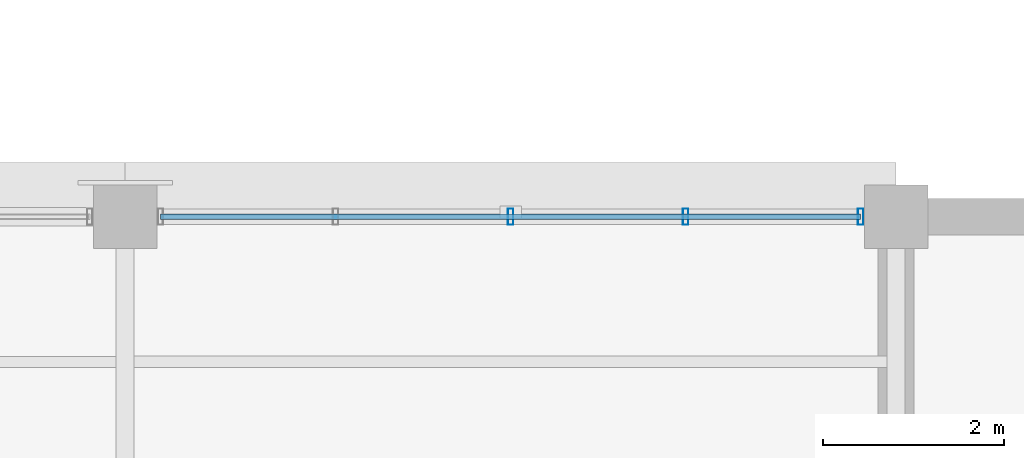
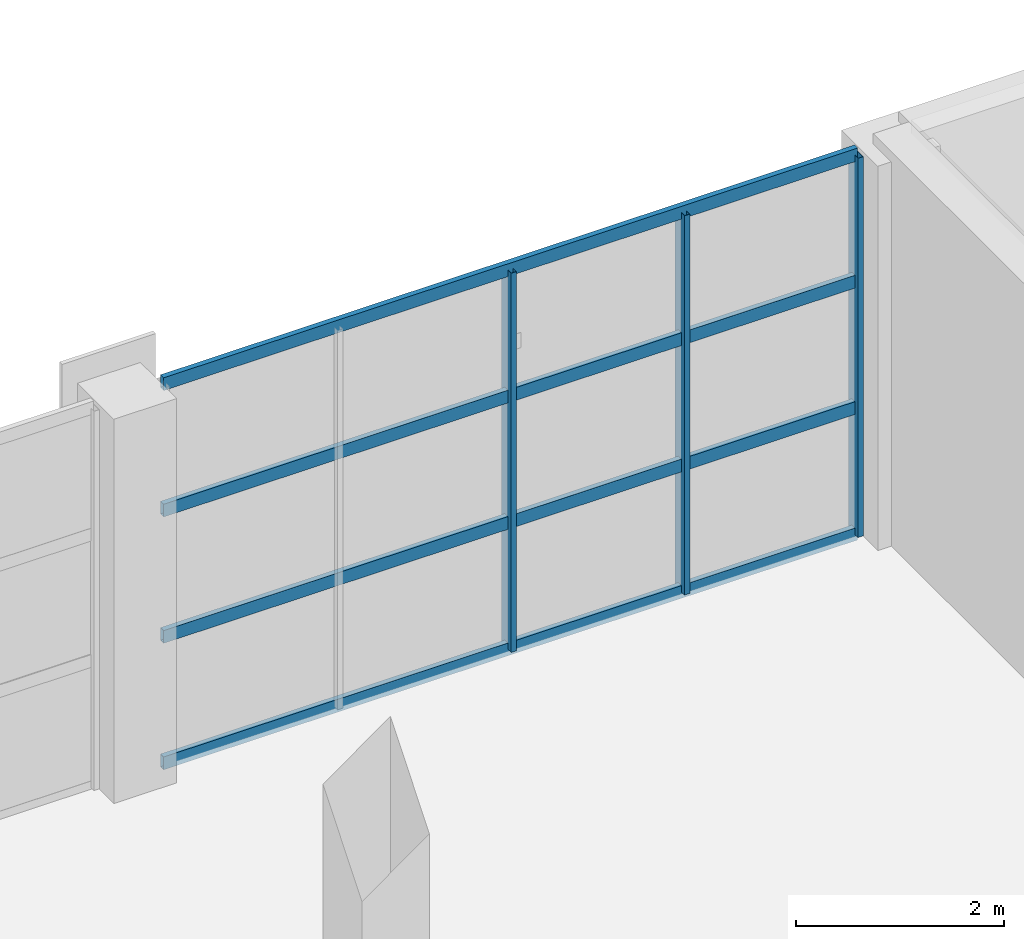
# One storey, part 32 of 101: 7 members, 1 element without a shape of its own.
"""IFC4 building model written with IfcOpenShell, lengths in metres."""

import ifcopenshell
import ifcopenshell.guid

model = None  # the IFC model being written
_history = None  # IfcOwnerHistory: only IFC2X3 demands one
_inside = {}  # id of a spatial element -> (the spatial element, [elements in it])
_under = {}  # id of a project, library or spatial element -> (it, [spatial elements below it])
_declared = {}  # id of a project -> (the project, [libraries it declares])
_typed = {}  # id of a type object -> (the type object, [elements of that type])
_made_of = {}  # id of a material, layer set ... -> (it, [elements and type objects made of it])


def new_model(schema):
    """Start an empty IFC model of exactly this schema.

    Asked for "IFC4X3", IfcOpenShell would pick the latest addendum, in which some entities
    have other attributes; the version numbers below select the first issue.
    IFC2X3 requires an IfcOwnerHistory on every rooted entity: one is made here for all.
    """
    global model, _history
    if schema == "IFC4X3":
        model = ifcopenshell.file(schema_version=(4, 3, 0, 0))
    else:
        model = ifcopenshell.file(schema=schema)
    _inside.clear()
    _under.clear()
    _declared.clear()
    _typed.clear()
    _made_of.clear()
    _history = None
    if model.schema == "IFC2X3":
        org = make("IfcOrganization", Name="unknown")
        user = make(
            "IfcPersonAndOrganization",
            ThePerson=make("IfcPerson", FamilyName="unknown"),
            TheOrganization=org,
        )
        app = make(
            "IfcApplication",
            ApplicationDeveloper=org,
            Version="unknown",
            ApplicationFullName="unknown",
            ApplicationIdentifier="unknown",
        )
        _history = make(
            "IfcOwnerHistory",
            OwningUser=user,
            OwningApplication=app,
            ChangeAction="ADDED",
            CreationDate=0,
        )
    return model


def make(cls, **values):
    """One entity of the class cls with the attributes given. An attribute that is None is left unset."""
    return model.create_entity(
        cls, **{name: value for name, value in values.items() if value is not None}
    )


def rooted(cls, **values):
    """An entity with a GlobalId (a new one), such as an element, a storey or a relation."""
    return make(cls, GlobalId=ifcopenshell.guid.new(), OwnerHistory=_history, **values)


def si_unit(unit_type, name, prefix=None):
    """IfcSIUnit, for example si_unit("LENGTHUNIT", "METRE", prefix="MILLI")."""
    return make("IfcSIUnit", UnitType=unit_type, Prefix=prefix, Name=name)


def assignment(units):
    """IfcUnitAssignment: the units of a project."""
    return None if units is None else make("IfcUnitAssignment", Units=units)


def point(xyz):
    """IfcCartesianPoint."""
    return None if xyz is None else make("IfcCartesianPoint", Coordinates=xyz)


def direction(xyz):
    """IfcDirection."""
    return None if xyz is None else make("IfcDirection", DirectionRatios=xyz)


def frame(location, z_axis=None, x_axis=None):
    """IfcAxis2Placement3D, a coordinate frame: its origin and axes. An axis left out is left unset."""
    return make(
        "IfcAxis2Placement3D",
        Location=point(location),
        Axis=direction(z_axis),
        RefDirection=direction(x_axis),
    )


def frame_2d(location, x_axis=None):
    """IfcAxis2Placement2D, a coordinate frame in the plane: its origin and x axis."""
    return make(
        "IfcAxis2Placement2D", Location=point(location), RefDirection=direction(x_axis)
    )


def origin():
    """The frame at (0, 0, 0) with its axes left unset."""
    return frame((0.0, 0.0, 0.0))


def origin_2d():
    """The frame at (0, 0) in the plane with its x axis left unset."""
    return frame_2d((0.0, 0.0))


def place(relative_to, where):
    """IfcLocalPlacement: puts the frame where relative to a parent placement (None: the world)."""
    return make(
        "IfcLocalPlacement", PlacementRelTo=relative_to, RelativePlacement=where
    )


def context(
    kind, dimensions, precision=None, world=None, true_north=None, identifier=None
):
    """IfcGeometricRepresentationContext, for example the 3D "Model" context."""
    return make(
        "IfcGeometricRepresentationContext",
        ContextIdentifier=identifier,
        ContextType=kind,
        CoordinateSpaceDimension=dimensions,
        Precision=precision,
        WorldCoordinateSystem=world,
        TrueNorth=true_north,
    )


def subcontext(parent, identifier, kind, view, scale=None):
    """IfcGeometricRepresentationSubContext, for example "Body" below "Model"."""
    return make(
        "IfcGeometricRepresentationSubContext",
        ContextIdentifier=identifier,
        ContextType=kind,
        ParentContext=parent,
        TargetScale=scale,
        TargetView=view,
    )


def project(units=None, contexts=None):
    """IfcProject with its units and contexts."""
    return rooted(
        "IfcProject",
        Name="project",
        RepresentationContexts=contexts,
        UnitsInContext=assignment(units),
    )


def spatial(cls, under=None, at=None, **own):
    """A site, building, storey or space (cls), placed at a placement, below another one or the project."""
    s = rooted(cls, ObjectPlacement=at, **own)
    if under is not None:
        _under.setdefault(under.id(), (under, []))[1].append(s)
    return s


def profile(cls, at=None, kind="AREA", **sizes):
    """A parametric profile (cls). Its sizes go by their IFC names, for example OverallWidth=200.0."""
    return make(cls, ProfileType=kind, Position=at, **sizes)


def hollow_rectangle(**sizes):
    """IfcRectangleHollowProfileDef."""
    return profile("IfcRectangleHollowProfileDef", **sizes)


def extrude(swept, where, along, depth):
    """IfcExtrudedAreaSolid: the profile swept, set in the frame where, extruded along a direction by depth."""
    return make(
        "IfcExtrudedAreaSolid",
        SweptArea=swept,
        Position=where,
        ExtrudedDirection=direction(along),
        Depth=depth,
    )


def shape(context_of_items, identifier, shape_type, items):
    """IfcShapeRepresentation: the items that make up one representation, for example the "Body"."""
    return make(
        "IfcShapeRepresentation",
        ContextOfItems=context_of_items,
        RepresentationIdentifier=identifier,
        RepresentationType=shape_type,
        Items=items,
    )


def material(Name=None, Category=None):
    """IfcMaterial."""
    return make("IfcMaterial", Name=Name, Category=Category)


def material_profile(
    of_material, cross_section, Name=None, Category=None, Priority=None
):
    """IfcMaterialProfile: a cross section and its material."""
    return make(
        "IfcMaterialProfile",
        Name=Name,
        Material=of_material,
        Profile=cross_section,
        Priority=Priority,
        Category=Category,
    )


def profile_set(profiles, Name=None, composite=None):
    """IfcMaterialProfileSet."""
    return make(
        "IfcMaterialProfileSet",
        Name=Name,
        MaterialProfiles=profiles,
        CompositeProfile=composite,
    )


def made_of(thing, what):
    """Note that an element or type object is made of a material, layer set ...; save() writes the relation."""
    if what is not None:
        _made_of.setdefault(what.id(), (what, []))[1].append(thing)
    return thing


def type_object(cls, material=None, **own):
    """A type object (cls), such as IfcWallType, which elements share."""
    return made_of(rooted(cls, **own), material)


def element(
    cls,
    number,
    at=None,
    inside=None,
    cuts=None,
    type_object=None,
    material=None,
    context=None,
    identifier="Body",
    shape_type=None,
    held_by="IfcProductDefinitionShape",
    body=None,
    shapes=None,
    **own,
):
    """One element of the class cls, such as IfcWall. Its Tag is "e" and its number.

    at: its placement. inside: the storey or other place that contains it. cuts: it is an
    opening in that element (IfcRelVoidsElement). A single representation is given by context,
    identifier, shape_type and body (its items); several are given by shapes. held_by: the class
    of the entity that holds the representations. save() writes the other relations.
    """
    e = rooted(cls, Tag="e%d" % number, ObjectPlacement=at, **own)
    if body is not None:
        shapes = [shape(context, identifier, shape_type, body)]
    if shapes is not None:
        e.Representation = make(held_by, Representations=shapes)
    if inside is not None:
        _inside.setdefault(inside.id(), (inside, []))[1].append(e)
    if cuts is not None:
        rooted(
            "IfcRelVoidsElement", RelatingBuildingElement=cuts, RelatedOpeningElement=e
        )
    if type_object is not None:
        _typed.setdefault(type_object.id(), (type_object, []))[1].append(e)
    return made_of(e, material)


def aggregate(whole, parts):
    """IfcRelAggregates: a whole, such as a stair, and the parts it consists of."""
    return rooted("IfcRelAggregates", RelatingObject=whole, RelatedObjects=parts)


def save(model, path):
    """Write the relations noted so far, then the file.

    IfcRelAggregates (storeys below a building ...), IfcRelContainedInSpatialStructure (elements
    in a storey), IfcRelDefinesByType, IfcRelAssociatesMaterial and IfcRelDeclares: one each for
    every whole, place, type object, material and project.
    """
    for whole, parts in _under.values():
        aggregate(whole, parts)
    for where, things in _inside.values():
        rooted(
            "IfcRelContainedInSpatialStructure",
            RelatedElements=things,
            RelatingStructure=where,
        )
    for kind, things in _typed.values():
        rooted("IfcRelDefinesByType", RelatedObjects=things, RelatingType=kind)
    for what, things in _made_of.values():
        rooted("IfcRelAssociatesMaterial", RelatedObjects=things, RelatingMaterial=what)
    for by, libraries in _declared.values():
        rooted("IfcRelDeclares", RelatingContext=by, RelatedDefinitions=libraries)
    model.write(path)


model = new_model("IFC4")

# Units and contexts
model_context = context("Model", 3, precision=1e-05, world=origin(), true_north=direction((0.0, 1.0)))
body_context = subcontext(model_context, "Body", "Model", "MODEL_VIEW")
ifc_project = project(units=[si_unit("LENGTHUNIT", "METRE"), si_unit("AREAUNIT", "SQUARE_METRE"), si_unit("VOLUMEUNIT", "CUBIC_METRE"), si_unit("PLANEANGLEUNIT", "RADIAN"), si_unit("MASSUNIT", "GRAM", prefix="KILO")], contexts=[model_context])

# Site, building, storey
site_placement = place(None, origin())
site = spatial("IfcSite", under=ifc_project, at=site_placement, CompositionType="ELEMENT")
building_placement = place(site_placement, origin())
building = spatial("IfcBuilding", under=site, at=building_placement, Name="Solvikara Media Centre", CompositionType="ELEMENT")
storey_placement = place(building_placement, frame((0.0, 0.0, 10.199951171875)))
storey = spatial("IfcBuildingStorey", under=building, at=storey_placement, Name="L02", CompositionType="ELEMENT", Elevation=10.199951171875)

# Curtain wall, members
ifc_material = material(Name="Anodised aluminium EN AW-6063", Category="aluminium")
curtain_wall_type = type_object("IfcCurtainWallType", Name="CW-05", PredefinedType="NOTDEFINED", material=ifc_material)
curtain_wall_placement = place(storey_placement, origin())
curtain_wall = element("IfcCurtainWall", 1, at=curtain_wall_placement, inside=storey, type_object=curtain_wall_type, Name="CW-L02-V6N-3", PredefinedType="NOTDEFINED")
ifc_material_profile_1 = material_profile(ifc_material, hollow_rectangle(XDim=0.06005859375, YDim=0.179931640625, WallThickness=0.00341796875, at=origin_2d()), Name="ALU-M 60x180x3.5")
ifc_profile_set_1 = profile_set([ifc_material_profile_1], Name="Anodised aluminium EN AW-6063")
member_type_1 = type_object("IfcMemberType", Name="MF-03", PredefinedType="MULLION", material=ifc_profile_set_1)
member_1_placement = place(storey_placement, frame((63.75, 36.800048828125, 0.02001953125), z_axis=(0.0, 0.0, 1.0), x_axis=(1.0, 0.0, 0.0)))
member_1 = element("IfcMember", 2, at=member_1_placement, type_object=member_type_1, Name="CW-L02-V6N-3-M02", PredefinedType="MULLION", context=body_context, shape_type="SweptSolid", body=[
    extrude(hollow_rectangle(XDim=0.06005859375, YDim=0.179931640625, WallThickness=0.00341796875, at=origin_2d()), origin(), (0.0, 0.0, 1.0), 4.4599609375),
])
member_2_placement = place(storey_placement, frame((65.679931640625, 36.800048828125, 0.02001953125), z_axis=(0.0, 0.0, 1.0), x_axis=(1.0, 0.0, 0.0)))
member_2 = element("IfcMember", 3, at=member_2_placement, type_object=member_type_1, Name="CW-L02-V6N-3-M03", PredefinedType="MULLION", context=body_context, shape_type="SweptSolid", body=[
    extrude(hollow_rectangle(XDim=0.06005859375, YDim=0.179931640625, WallThickness=0.00341796875, at=origin_2d()), origin(), (0.0, 0.0, 1.0), 4.4599609375),
])
member_3_placement = place(storey_placement, frame((67.610107421875, 36.800048828125, 0.02001953125), z_axis=(0.0, 0.0, 1.0), x_axis=(1.0, 0.0, 0.0)))
member_3 = element("IfcMember", 4, at=member_3_placement, type_object=member_type_1, Name="CW-L02-V6N-3-M04", PredefinedType="MULLION", context=body_context, shape_type="SweptSolid", body=[
    extrude(hollow_rectangle(XDim=0.06005859375, YDim=0.179931640625, WallThickness=0.00341796875, at=origin_2d()), origin(), (0.0, 0.0, 1.0), 4.4599609375),
])
ifc_material_profile_2 = material_profile(ifc_material, hollow_rectangle(XDim=0.06005859375, YDim=0.14990234375, WallThickness=0.0029296875, at=origin_2d()), Name="ALU-T 60x150x3")
ifc_profile_set_2 = profile_set([ifc_material_profile_2], Name="Anodised aluminium EN AW-6063")
member_type_2 = type_object("IfcMemberType", Name="MF-09", PredefinedType="USERDEFINED", material=ifc_profile_set_2)
member_4_placement = place(storey_placement, frame((59.889892578125, 36.800048828125, 0.02001953125), z_axis=(1.0, 0.0, 0.0), x_axis=(0.0, 1.0, 0.0)))
member_4 = element("IfcMember", 5, at=member_4_placement, type_object=member_type_2, Name="CW-L02-V6N-3-T00", ObjectType="TRANSOM", PredefinedType="USERDEFINED", context=body_context, shape_type="SweptSolid", body=[
    extrude(hollow_rectangle(XDim=0.06005859375, YDim=0.14990234375, WallThickness=0.0029296875, at=origin_2d()), origin(), (0.0, 0.0, 1.0), 7.72021484375),
])
member_5_placement = place(storey_placement, frame((59.889892578125, 36.800048828125, 1.507080078125), z_axis=(1.0, 0.0, 0.0), x_axis=(0.0, 1.0, 0.0)))
member_5 = element("IfcMember", 6, at=member_5_placement, type_object=member_type_2, Name="CW-L02-V6N-3-T01", ObjectType="TRANSOM", PredefinedType="USERDEFINED", context=body_context, shape_type="SweptSolid", body=[
    extrude(hollow_rectangle(XDim=0.06005859375, YDim=0.14990234375, WallThickness=0.0029296875, at=origin_2d()), origin(), (0.0, 0.0, 1.0), 7.72021484375),
])
member_6_placement = place(storey_placement, frame((59.889892578125, 36.800048828125, 2.9931640625), z_axis=(1.0, 0.0, 0.0), x_axis=(0.0, 1.0, 0.0)))
member_6 = element("IfcMember", 7, at=member_6_placement, type_object=member_type_2, Name="CW-L02-V6N-3-T02", ObjectType="TRANSOM", PredefinedType="USERDEFINED", context=body_context, shape_type="SweptSolid", body=[
    extrude(hollow_rectangle(XDim=0.06005859375, YDim=0.14990234375, WallThickness=0.0029296875, at=origin_2d()), origin(), (0.0, 0.0, 1.0), 7.72021484375),
])
member_7_placement = place(storey_placement, frame((59.889892578125, 36.800048828125, 4.47998046875), z_axis=(1.0, 0.0, 0.0), x_axis=(0.0, 1.0, 0.0)))
member_7 = element("IfcMember", 8, at=member_7_placement, type_object=member_type_2, Name="CW-L02-V6N-3-T03", ObjectType="TRANSOM", PredefinedType="USERDEFINED", context=body_context, shape_type="SweptSolid", body=[
    extrude(hollow_rectangle(XDim=0.06005859375, YDim=0.14990234375, WallThickness=0.0029296875, at=origin_2d()), origin(), (0.0, 0.0, 1.0), 7.72021484375),
])
aggregate(curtain_wall, [member_1, member_2, member_3, member_4, member_5, member_6, member_7])

save(model, "model.ifc")
